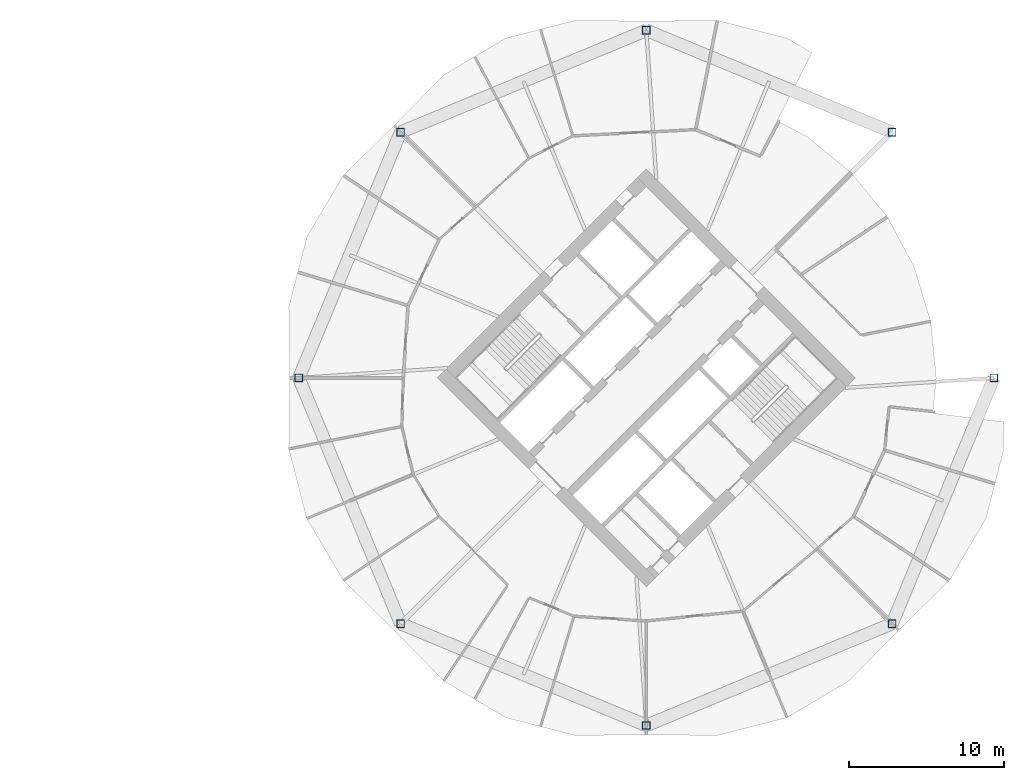
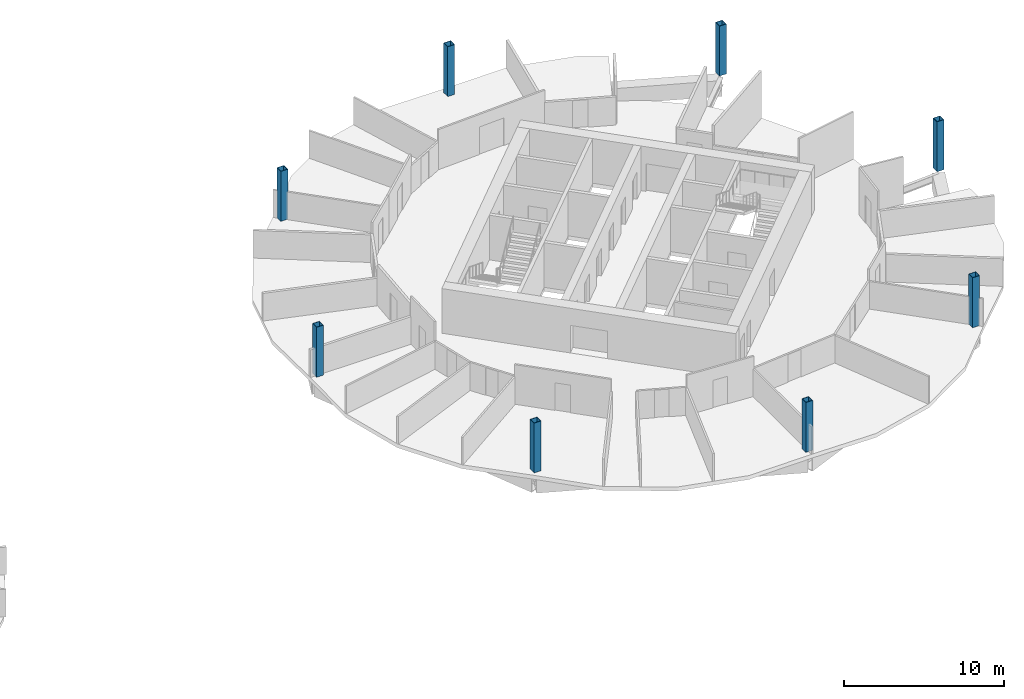
# One storey, part 2 of 10: 8 columns.
"""IFC4 building model written with IfcOpenShell, lengths in metres."""

from ifc_helpers import new_model, si_unit, direction, frame, origin, origin_2d, place, context, subcontext, project, spatial, hollow_rectangle, extrude, material, material_profile, profile_set, type_object, element, save


model = new_model("IFC4")

# Units and contexts
model_context = context("Model", 3, precision=1e-05, world=origin(), true_north=direction((0.0, 1.0)))
body_context = subcontext(model_context, "Body", "Model", "MODEL_VIEW")
ifc_project = project(units=[si_unit("LENGTHUNIT", "METRE"), si_unit("AREAUNIT", "SQUARE_METRE"), si_unit("VOLUMEUNIT", "CUBIC_METRE"), si_unit("PLANEANGLEUNIT", "RADIAN"), si_unit("MASSUNIT", "GRAM", prefix="KILO")], contexts=[model_context])

# Site, building, storey
site_placement = place(None, origin())
site = spatial("IfcSite", under=ifc_project, at=site_placement, CompositionType="ELEMENT")
building_placement = place(site_placement, origin())
building = spatial("IfcBuilding", under=site, at=building_placement, Name="Ogive Gate Towers", CompositionType="ELEMENT")
storey_placement = place(building_placement, frame((0.0, 0.0, 126.89990234375)))
storey = spatial("IfcBuildingStorey", under=building, at=storey_placement, Name="L30", CompositionType="ELEMENT", Elevation=126.89990234375)

# Columns
ifc_material = material(Name="Steel SM460", Category="steel")
ifc_material_profile = material_profile(ifc_material, hollow_rectangle(XDim=0.5, YDim=0.5, WallThickness=0.030029296875, at=origin_2d()), Name="BX 500x500x30")
ifc_profile_set = profile_set([ifc_material_profile], Name="Steel SM460")
column_type = type_object("IfcColumnType", Name="Perimeter post BX 500x500x30", PredefinedType="COLUMN", material=ifc_profile_set)
for number, where, z_axis, x_axis, name in (
    (1, (58.35009765625, 0.0, 0.0), (0.0, 0.0, 1.0), (1.0, 0.0, 0.0), "T2/L30/SCL001"),
    (2, (51.803955078125, 15.803955078125, 0.0), (0.0, 0.0, 1.0), (1.0, 0.0, 0.0), "T2/L30/SCL002"),
    (3, (36.0, 22.35009765625, 0.0), (0.0, 0.0, 1.0), (1.0, 0.0, 0.0), "T2/L30/SCL003"),
    (4, (20.196044921875, 15.803955078125, 0.0), (0.0, 0.0, 1.0), (1.0, 0.0, 0.0), "T2/L30/SCL004"),
    (5, (13.64990234375, 0.0, 0.0), (0.0, 0.0, 1.0), (1.0, 0.0, 0.0), "T2/L30/SCL005"),
    (6, (20.196044921875, -15.803955078125, 0.0), (0.0, 0.0, 1.0), (1.0, 0.0, 0.0), "T2/L30/SCL006"),
    (7, (36.0, -22.35009765625, 0.0), (0.0, 0.0, 1.0), (1.0, 0.0, 0.0), "T2/L30/SCL007"),
    (8, (51.803955078125, -15.803955078125, 0.0), (0.0, 0.0, 1.0), (1.0, 0.0, 0.0), "T2/L30/SCL008"),
):
    element("IfcColumn", number, at=place(storey_placement, frame(where, z_axis=z_axis, x_axis=x_axis)), inside=storey, type_object=column_type, Name=name, PredefinedType="COLUMN", context=body_context, shape_type="SweptSolid", body=[
        extrude(hollow_rectangle(XDim=0.5, YDim=0.5, WallThickness=0.030029296875, at=origin_2d()), origin(), (0.0, 0.0, 1.0), 3.800048828125),
    ])

save(model, "model.ifc")
